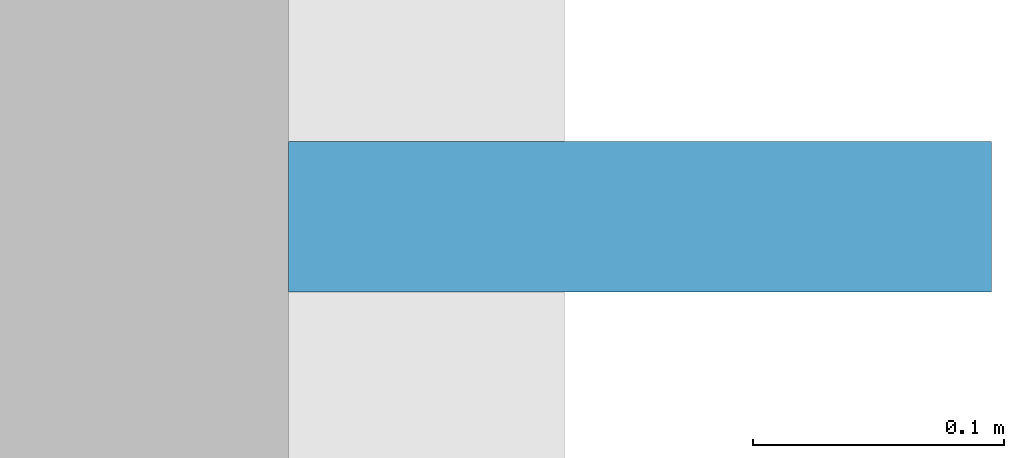
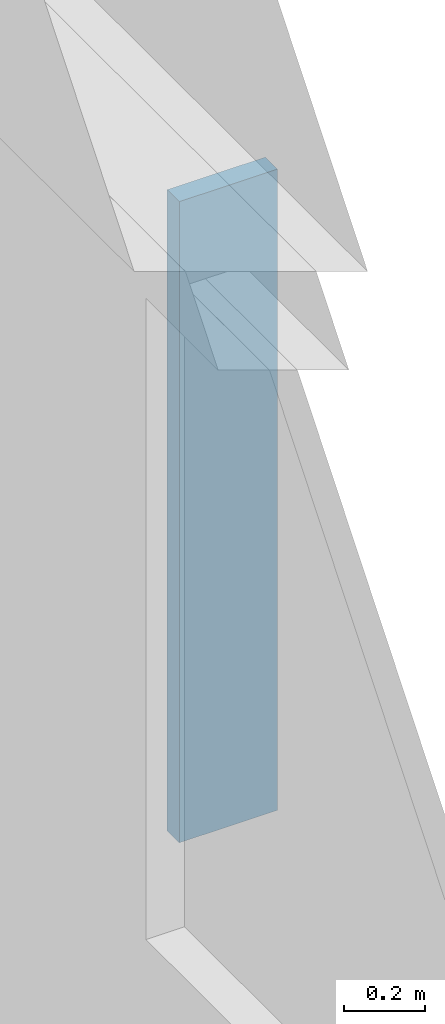
# One storey, part 4 of 9: 1 plate.
"""IFC4 building model written with IfcOpenShell, lengths in metres."""

from ifc_helpers import new_model, si_unit, direction, frame, origin, origin_2d, place, context, subcontext, project, spatial, rectangle, extrude, material, type_object, element, save


model = new_model("IFC4")

# Units and contexts
model_context = context("Model", 3, precision=1e-05, world=origin(), true_north=direction((0.0, 1.0)))
body_context = subcontext(model_context, "Body", "Model", "MODEL_VIEW")
ifc_project = project(units=[si_unit("LENGTHUNIT", "METRE"), si_unit("AREAUNIT", "SQUARE_METRE"), si_unit("VOLUMEUNIT", "CUBIC_METRE"), si_unit("PLANEANGLEUNIT", "RADIAN"), si_unit("MASSUNIT", "GRAM", prefix="KILO")], contexts=[model_context])

# Site, building, storey
site_placement = place(None, origin())
site = spatial("IfcSite", under=ifc_project, at=site_placement, CompositionType="ELEMENT")
building_placement = place(site_placement, origin())
building = spatial("IfcBuilding", under=site, at=building_placement, Name="Nhamokura Convention Tower", CompositionType="ELEMENT")
storey_placement = place(building_placement, frame((0.0, 0.0, 229.25)))
storey = spatial("IfcBuildingStorey", under=building, at=storey_placement, Name="L56", CompositionType="ELEMENT", Elevation=229.25)

# Plate
ifc_material = material(Name="Anodised bronze aluminium AA6063-T6", Category="aluminium")
plate_type = type_object("IfcPlateType", Name="BronzeSolarFin_2", PredefinedType="USERDEFINED", material=ifc_material)
plate_placement = place(storey_placement, frame((56.530029296875, 30.220703125, 0.849853515625), z_axis=(0.0, 0.0, 1.0), x_axis=(1.0, 0.0, 0.0)))
element("IfcPlate", 1, at=plate_placement, inside=storey, type_object=plate_type, Name="L56 Bronze Solar Shading Fin EAST 2", ObjectType="SOLAR_FIN", PredefinedType="USERDEFINED", context=body_context, shape_type="SweptSolid", body=[
    extrude(rectangle(XDim=0.280029296875, YDim=0.06005859375, at=origin_2d()), origin(), (0.0, 0.0, 1.0), 1.93505859375),
])

save(model, "model.ifc")
